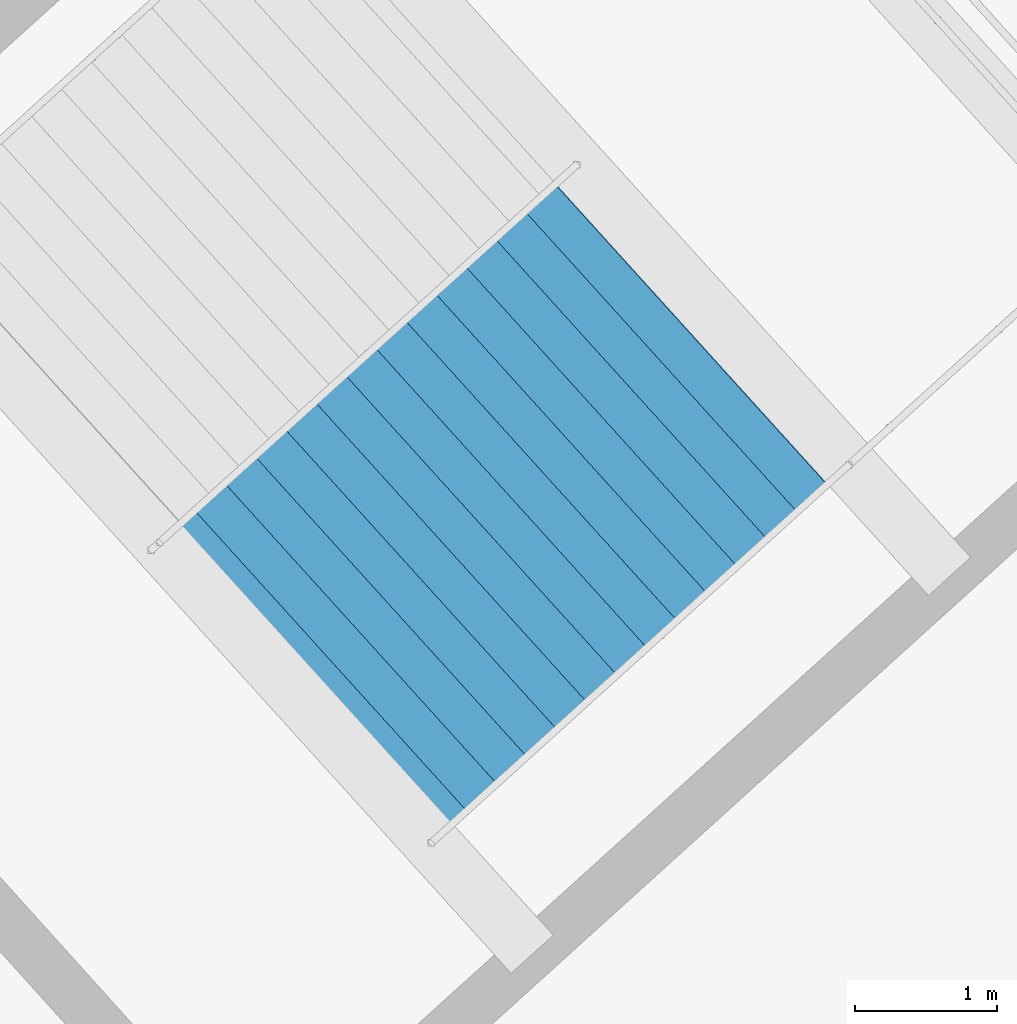
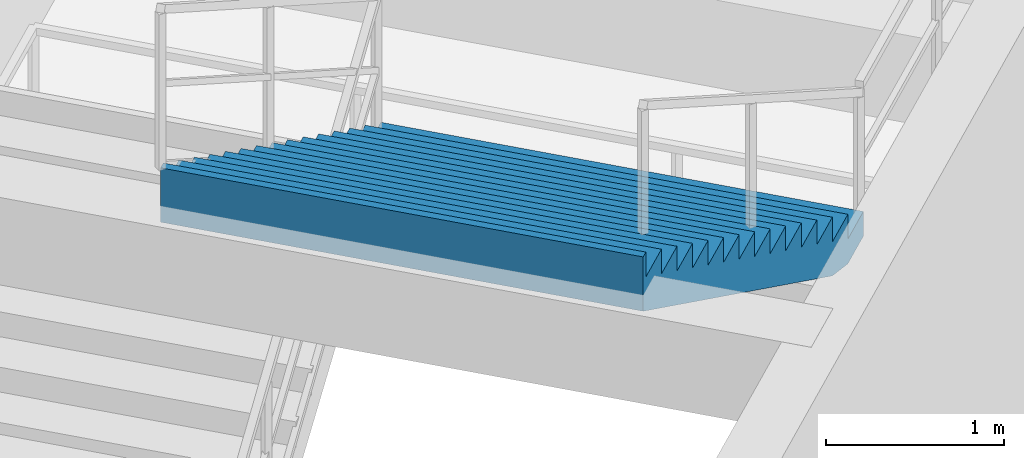
# One storey, part 161 of 184: 1 stair flight, 1 element without a shape of its own.
"""IFC4 building model written with IfcOpenShell, lengths in metres."""

from ifc_helpers import new_model, si_unit, direction, frame, origin, place, context, subcontext, project, spatial, polygons, material, type_object, element, aggregate, save


model = new_model("IFC4")

# Units and contexts
model_context = context("Model", 3, precision=1e-05, world=origin(), true_north=direction((0.0, 1.0)))
body_context = subcontext(model_context, "Body", "Model", "MODEL_VIEW")
ifc_project = project(units=[si_unit("LENGTHUNIT", "METRE"), si_unit("AREAUNIT", "SQUARE_METRE"), si_unit("VOLUMEUNIT", "CUBIC_METRE"), si_unit("PLANEANGLEUNIT", "RADIAN"), si_unit("MASSUNIT", "GRAM", prefix="KILO")], contexts=[model_context])

# Site, building, storey
site_placement = place(None, origin())
site = spatial("IfcSite", under=ifc_project, at=site_placement, CompositionType="ELEMENT")
building_placement = place(site_placement, origin())
building = spatial("IfcBuilding", under=site, at=building_placement, Name="Kazemori Nagisa Stadium", CompositionType="ELEMENT")
storey_placement = place(building_placement, frame((0.0, 0.0, 10.5400390625)))
storey = spatial("IfcBuildingStorey", under=building, at=storey_placement, Name="L02", CompositionType="ELEMENT", Elevation=10.5400390625)

# Stair, stair flight
ifc_material = material(Name="Concrete C36/45 (Fc36)", Category="concrete")
stair_type = type_object("IfcStairType", Name="Stair_CORE_30", PredefinedType="TWO_STRAIGHT_RUN_STAIR", material=ifc_material)
stair_placement = place(storey_placement, origin())
stair = element("IfcStair", 1, at=stair_placement, inside=storey, type_object=stair_type, Name="Exit stair ST04 L02", PredefinedType="TWO_STRAIGHT_RUN_STAIR")
stair_flight_type = type_object("IfcStairFlightType", Name="Flight_CORE_15", PredefinedType="STRAIGHT", material=ifc_material)
stair_flight_placement = place(storey_placement, frame((187.742919921875, 40.0625, 2.550048828125), z_axis=(0.0, 0.0, 1.0), x_axis=(-0.741356002691, -0.671111970742, 0.0)))
stair_flight = element("IfcStairFlight", 2, at=stair_flight_placement, type_object=stair_flight_type, Name="Exit stair ST04 L02 flight 2", NumberOfRisers=15, NumberOfTreads=14, PredefinedType="STRAIGHT", RiserHeight=0.17, TreadLength=0.285, context=body_context, shape_type="Tessellation", body=[
    polygons([(0.0, -1.425048828125, 0.0), (0.0, -1.425048828125, 0.169921875), (0.284912109375, -1.425048828125, 0.169921875), (0.284912109375, -1.425048828125, 0.340087890625), (0.570068359375, -1.425048828125, 0.340087890625), (0.570068359375, -1.425048828125, 0.510009765625), (0.85498046875, -1.425048828125, 0.510009765625), (0.85498046875, -1.425048828125, 0.679931640625), (1.139892578125, -1.425048828125, 0.679931640625), (1.139892578125, -1.425048828125, 0.85009765625), (1.425048828125, -1.425048828125, 0.85009765625), (1.425048828125, -1.425048828125, 1.02001953125), (1.7099609375, -1.425048828125, 1.02001953125), (1.7099609375, -1.425048828125, 1.18994140625), (1.9951171875, -1.425048828125, 1.18994140625), (1.9951171875, -1.425048828125, 1.360107421875), (2.280029296875, -1.425048828125, 1.360107421875), (2.280029296875, -1.425048828125, 1.530029296875), (2.56494140625, -1.425048828125, 1.530029296875), (2.56494140625, -1.425048828125, 1.699951171875), (2.85009765625, -1.425048828125, 1.699951171875), (2.85009765625, -1.425048828125, 1.8701171875), (3.135009765625, -1.425048828125, 1.8701171875), (3.135009765625, -1.425048828125, 2.0400390625), (3.419921875, -1.425048828125, 2.0400390625), (3.419921875, -1.425048828125, 2.2099609375), (3.705078125, -1.425048828125, 2.2099609375), (3.705078125, -1.425048828125, 2.3798828125), (3.989990234375, -1.425048828125, 2.3798828125), (3.989990234375, -1.425048828125, 2.550048828125), (4.0400390625, -1.425048828125, 2.550048828125), (4.0400390625, -1.425048828125, 2.177001953125), (3.989990234375, -1.425048828125, 2.147216796875), (3.705078125, -1.425048828125, 1.977294921875), (3.419921875, -1.425048828125, 1.80712890625), (3.135009765625, -1.425048828125, 1.63720703125), (2.85009765625, -1.425048828125, 1.46728515625), (2.56494140625, -1.425048828125, 1.297119140625), (2.280029296875, -1.425048828125, 1.127197265625), (1.9951171875, -1.425048828125, 0.957275390625), (1.7099609375, -1.425048828125, 0.787109375), (1.425048828125, -1.425048828125, 0.6171875), (1.139892578125, -1.425048828125, 0.447265625), (0.85498046875, -1.425048828125, 0.277099609375), (0.570068359375, -1.425048828125, 0.107177734375), (0.284912109375, -1.425048828125, 0.0), (0.0, -0.08544921875, 0.0), (0.0, -0.08544921875, 0.169921875), (0.284912109375, -0.08544921875, 0.169921875), (0.284912109375, -0.08544921875, 0.340087890625), (0.570068359375, -0.08544921875, 0.340087890625), (0.570068359375, -0.08544921875, 0.510009765625), (0.85498046875, -0.08544921875, 0.510009765625), (0.85498046875, -0.08544921875, 0.679931640625), (1.139892578125, -0.08544921875, 0.679931640625), (1.139892578125, -0.08544921875, 0.85009765625), (1.425048828125, -0.08544921875, 0.85009765625), (1.425048828125, -0.08544921875, 1.02001953125), (1.7099609375, -0.08544921875, 1.02001953125), (1.7099609375, -0.08544921875, 1.18994140625), (1.9951171875, -0.08544921875, 1.18994140625), (1.9951171875, -0.08544921875, 1.360107421875), (2.280029296875, -0.08544921875, 1.360107421875), (2.280029296875, -0.08544921875, 1.530029296875), (2.56494140625, -0.08544921875, 1.530029296875), (2.56494140625, -0.08544921875, 1.699951171875), (2.85009765625, -0.08544921875, 1.699951171875), (2.85009765625, -0.08544921875, 1.8701171875), (3.135009765625, -0.08544921875, 1.8701171875), (3.135009765625, -0.08544921875, 2.0400390625), (3.419921875, -0.08544921875, 2.0400390625), (3.419921875, -0.08544921875, 2.2099609375), (3.705078125, -0.08544921875, 2.2099609375), (3.705078125, -0.08544921875, 2.3798828125), (3.989990234375, -0.08544921875, 2.3798828125), (3.989990234375, -0.08544921875, 2.550048828125), (4.0400390625, -0.08544921875, 2.550048828125), (4.0400390625, -0.08544921875, 2.177001953125), (3.989990234375, -0.08544921875, 2.147216796875), (3.705078125, -0.08544921875, 1.977294921875), (3.419921875, -0.08544921875, 1.80712890625), (3.135009765625, -0.08544921875, 1.63720703125), (2.85009765625, -0.08544921875, 1.46728515625), (2.56494140625, -0.08544921875, 1.297119140625), (2.280029296875, -0.08544921875, 1.127197265625), (1.9951171875, -0.08544921875, 0.957275390625), (1.7099609375, -0.08544921875, 0.787109375), (1.425048828125, -0.08544921875, 0.6171875), (1.139892578125, -0.08544921875, 0.447265625), (0.85498046875, -0.08544921875, 0.277099609375), (0.570068359375, -0.08544921875, 0.107177734375), (0.284912109375, -0.08544921875, 0.0), (0.0, 0.0, 0.0), (0.0, 0.0, 0.169921875), (0.284912109375, 0.0, 0.169921875), (0.284912109375, 0.0, 0.340087890625), (0.570068359375, 0.0, 0.340087890625), (0.570068359375, 0.0, 0.510009765625), (0.85498046875, 0.0, 0.510009765625), (0.85498046875, 0.0, 0.679931640625), (1.139892578125, 0.0, 0.679931640625), (1.139892578125, 0.0, 0.85009765625), (1.425048828125, 0.0, 0.85009765625), (1.425048828125, 0.0, 1.02001953125), (1.7099609375, 0.0, 1.02001953125), (1.7099609375, 0.0, 1.18994140625), (1.9951171875, 0.0, 1.18994140625), (1.9951171875, 0.0, 1.360107421875), (2.280029296875, 0.0, 1.360107421875), (2.280029296875, 0.0, 1.530029296875), (2.56494140625, 0.0, 1.530029296875), (2.56494140625, 0.0, 1.699951171875), (2.85009765625, 0.0, 1.699951171875), (2.85009765625, 0.0, 1.8701171875), (3.135009765625, 0.0, 1.8701171875), (3.135009765625, 0.0, 2.0400390625), (3.419921875, 0.0, 2.0400390625), (3.419921875, 0.0, 2.2099609375), (3.705078125, 0.0, 2.2099609375), (3.705078125, 0.0, 2.3798828125), (3.989990234375, 0.0, 2.3798828125), (3.989990234375, 0.0, 2.550048828125), (4.0400390625, 0.0, 2.550048828125), (4.0400390625, 0.0, 2.177001953125), (3.989990234375, 0.0, 2.147216796875), (3.705078125, 0.0, 1.977294921875), (3.419921875, 0.0, 1.80712890625), (3.135009765625, 0.0, 1.63720703125), (2.85009765625, 0.0, 1.46728515625), (2.56494140625, 0.0, 1.297119140625), (2.280029296875, 0.0, 1.127197265625), (1.9951171875, 0.0, 0.957275390625), (1.7099609375, 0.0, 0.787109375), (1.425048828125, 0.0, 0.6171875), (1.139892578125, 0.0, 0.447265625), (0.85498046875, 0.0, 0.277099609375), (0.570068359375, 0.0, 0.107177734375), (0.284912109375, 0.0, 0.0), (0.0, 0.08544921875, 0.0), (0.0, 0.08544921875, 0.169921875), (0.284912109375, 0.08544921875, 0.169921875), (0.284912109375, 0.08544921875, 0.340087890625), (0.570068359375, 0.08544921875, 0.340087890625), (0.570068359375, 0.08544921875, 0.510009765625), (0.85498046875, 0.08544921875, 0.510009765625), (0.85498046875, 0.08544921875, 0.679931640625), (1.139892578125, 0.08544921875, 0.679931640625), (1.139892578125, 0.08544921875, 0.85009765625), (1.425048828125, 0.08544921875, 0.85009765625), (1.425048828125, 0.08544921875, 1.02001953125), (1.7099609375, 0.08544921875, 1.02001953125), (1.7099609375, 0.08544921875, 1.18994140625), (1.9951171875, 0.08544921875, 1.18994140625), (1.9951171875, 0.08544921875, 1.360107421875), (2.280029296875, 0.08544921875, 1.360107421875), (2.280029296875, 0.08544921875, 1.530029296875), (2.56494140625, 0.08544921875, 1.530029296875), (2.56494140625, 0.08544921875, 1.699951171875), (2.85009765625, 0.08544921875, 1.699951171875), (2.85009765625, 0.08544921875, 1.8701171875), (3.135009765625, 0.08544921875, 1.8701171875), (3.135009765625, 0.08544921875, 2.0400390625), (3.419921875, 0.08544921875, 2.0400390625), (3.419921875, 0.08544921875, 2.2099609375), (3.705078125, 0.08544921875, 2.2099609375), (3.705078125, 0.08544921875, 2.3798828125), (3.989990234375, 0.08544921875, 2.3798828125), (3.989990234375, 0.08544921875, 2.550048828125), (4.0400390625, 0.08544921875, 2.550048828125), (4.0400390625, 0.08544921875, 2.177001953125), (3.989990234375, 0.08544921875, 2.147216796875), (3.705078125, 0.08544921875, 1.977294921875), (3.419921875, 0.08544921875, 1.80712890625), (3.135009765625, 0.08544921875, 1.63720703125), (2.85009765625, 0.08544921875, 1.46728515625), (2.56494140625, 0.08544921875, 1.297119140625), (2.280029296875, 0.08544921875, 1.127197265625), (1.9951171875, 0.08544921875, 0.957275390625), (1.7099609375, 0.08544921875, 0.787109375), (1.425048828125, 0.08544921875, 0.6171875), (1.139892578125, 0.08544921875, 0.447265625), (0.85498046875, 0.08544921875, 0.277099609375), (0.570068359375, 0.08544921875, 0.107177734375), (0.284912109375, 0.08544921875, 0.0), (0.0, 1.425048828125, 0.0), (0.0, 1.425048828125, 0.169921875), (0.284912109375, 1.425048828125, 0.169921875), (0.284912109375, 1.425048828125, 0.340087890625), (0.570068359375, 1.425048828125, 0.340087890625), (0.570068359375, 1.425048828125, 0.510009765625), (0.85498046875, 1.425048828125, 0.510009765625), (0.85498046875, 1.425048828125, 0.679931640625), (1.139892578125, 1.425048828125, 0.679931640625), (1.139892578125, 1.425048828125, 0.85009765625), (1.425048828125, 1.425048828125, 0.85009765625), (1.425048828125, 1.425048828125, 1.02001953125), (1.7099609375, 1.425048828125, 1.02001953125), (1.7099609375, 1.425048828125, 1.18994140625), (1.9951171875, 1.425048828125, 1.18994140625), (1.9951171875, 1.425048828125, 1.360107421875), (2.280029296875, 1.425048828125, 1.360107421875), (2.280029296875, 1.425048828125, 1.530029296875), (2.56494140625, 1.425048828125, 1.530029296875), (2.56494140625, 1.425048828125, 1.699951171875), (2.85009765625, 1.425048828125, 1.699951171875), (2.85009765625, 1.425048828125, 1.8701171875), (3.135009765625, 1.425048828125, 1.8701171875), (3.135009765625, 1.425048828125, 2.0400390625), (3.419921875, 1.425048828125, 2.0400390625), (3.419921875, 1.425048828125, 2.2099609375), (3.705078125, 1.425048828125, 2.2099609375), (3.705078125, 1.425048828125, 2.3798828125), (3.989990234375, 1.425048828125, 2.3798828125), (3.989990234375, 1.425048828125, 2.550048828125), (4.0400390625, 1.425048828125, 2.550048828125), (4.0400390625, 1.425048828125, 2.177001953125), (3.989990234375, 1.425048828125, 2.147216796875), (3.705078125, 1.425048828125, 1.977294921875), (3.419921875, 1.425048828125, 1.80712890625), (3.135009765625, 1.425048828125, 1.63720703125), (2.85009765625, 1.425048828125, 1.46728515625), (2.56494140625, 1.425048828125, 1.297119140625), (2.280029296875, 1.425048828125, 1.127197265625), (1.9951171875, 1.425048828125, 0.957275390625), (1.7099609375, 1.425048828125, 0.787109375), (1.425048828125, 1.425048828125, 0.6171875), (1.139892578125, 1.425048828125, 0.447265625), (0.85498046875, 1.425048828125, 0.277099609375), (0.570068359375, 1.425048828125, 0.107177734375), (0.284912109375, 1.425048828125, 0.0)], [[[1, 2, 48]], [[1, 48, 47]], [[2, 3, 49]], [[2, 49, 48]], [[3, 4, 50]], [[3, 50, 49]], [[4, 5, 51]], [[4, 51, 50]], [[5, 6, 52]], [[5, 52, 51]], [[6, 7, 53]], [[6, 53, 52]], [[7, 8, 54]], [[7, 54, 53]], [[8, 9, 55]], [[8, 55, 54]], [[9, 10, 56]], [[9, 56, 55]], [[10, 11, 57]], [[10, 57, 56]], [[11, 12, 58]], [[11, 58, 57]], [[12, 13, 59]], [[12, 59, 58]], [[13, 14, 60]], [[13, 60, 59]], [[14, 15, 61]], [[14, 61, 60]], [[15, 16, 62]], [[15, 62, 61]], [[16, 17, 63]], [[16, 63, 62]], [[17, 18, 64]], [[17, 64, 63]], [[18, 19, 65]], [[18, 65, 64]], [[19, 20, 66]], [[19, 66, 65]], [[20, 21, 67]], [[20, 67, 66]], [[21, 22, 68]], [[21, 68, 67]], [[22, 23, 69]], [[22, 69, 68]], [[23, 24, 70]], [[23, 70, 69]], [[24, 25, 71]], [[24, 71, 70]], [[25, 26, 72]], [[25, 72, 71]], [[26, 27, 73]], [[26, 73, 72]], [[27, 28, 74]], [[27, 74, 73]], [[28, 29, 75]], [[28, 75, 74]], [[29, 30, 76]], [[29, 76, 75]], [[30, 31, 77]], [[30, 77, 76]], [[31, 32, 78]], [[31, 78, 77]], [[32, 33, 79]], [[32, 79, 78]], [[33, 34, 80]], [[33, 80, 79]], [[34, 35, 81]], [[34, 81, 80]], [[35, 36, 82]], [[35, 82, 81]], [[36, 37, 83]], [[36, 83, 82]], [[37, 38, 84]], [[37, 84, 83]], [[38, 39, 85]], [[38, 85, 84]], [[39, 40, 86]], [[39, 86, 85]], [[40, 41, 87]], [[40, 87, 86]], [[41, 42, 88]], [[41, 88, 87]], [[42, 43, 89]], [[42, 89, 88]], [[43, 44, 90]], [[43, 90, 89]], [[44, 45, 91]], [[44, 91, 90]], [[45, 46, 92]], [[45, 92, 91]], [[46, 1, 47]], [[46, 47, 92]], [[47, 48, 94]], [[47, 94, 93]], [[48, 49, 95]], [[48, 95, 94]], [[49, 50, 96]], [[49, 96, 95]], [[50, 51, 97]], [[50, 97, 96]], [[51, 52, 98]], [[51, 98, 97]], [[52, 53, 99]], [[52, 99, 98]], [[53, 54, 100]], [[53, 100, 99]], [[54, 55, 101]], [[54, 101, 100]], [[55, 56, 102]], [[55, 102, 101]], [[56, 57, 103]], [[56, 103, 102]], [[57, 58, 104]], [[57, 104, 103]], [[58, 59, 105]], [[58, 105, 104]], [[59, 60, 106]], [[59, 106, 105]], [[60, 61, 107]], [[60, 107, 106]], [[61, 62, 108]], [[61, 108, 107]], [[62, 63, 109]], [[62, 109, 108]], [[63, 64, 110]], [[63, 110, 109]], [[64, 65, 111]], [[64, 111, 110]], [[65, 66, 112]], [[65, 112, 111]], [[66, 67, 113]], [[66, 113, 112]], [[67, 68, 114]], [[67, 114, 113]], [[68, 69, 115]], [[68, 115, 114]], [[69, 70, 116]], [[69, 116, 115]], [[70, 71, 117]], [[70, 117, 116]], [[71, 72, 118]], [[71, 118, 117]], [[72, 73, 119]], [[72, 119, 118]], [[73, 74, 120]], [[73, 120, 119]], [[74, 75, 121]], [[74, 121, 120]], [[75, 76, 122]], [[75, 122, 121]], [[76, 77, 123]], [[76, 123, 122]], [[77, 78, 124]], [[77, 124, 123]], [[78, 79, 125]], [[78, 125, 124]], [[79, 80, 126]], [[79, 126, 125]], [[80, 81, 127]], [[80, 127, 126]], [[81, 82, 128]], [[81, 128, 127]], [[82, 83, 129]], [[82, 129, 128]], [[83, 84, 130]], [[83, 130, 129]], [[84, 85, 131]], [[84, 131, 130]], [[85, 86, 132]], [[85, 132, 131]], [[86, 87, 133]], [[86, 133, 132]], [[87, 88, 134]], [[87, 134, 133]], [[88, 89, 135]], [[88, 135, 134]], [[89, 90, 136]], [[89, 136, 135]], [[90, 91, 137]], [[90, 137, 136]], [[91, 92, 138]], [[91, 138, 137]], [[92, 47, 93]], [[92, 93, 138]], [[93, 94, 140]], [[93, 140, 139]], [[94, 95, 141]], [[94, 141, 140]], [[95, 96, 142]], [[95, 142, 141]], [[96, 97, 143]], [[96, 143, 142]], [[97, 98, 144]], [[97, 144, 143]], [[98, 99, 145]], [[98, 145, 144]], [[99, 100, 146]], [[99, 146, 145]], [[100, 101, 147]], [[100, 147, 146]], [[101, 102, 148]], [[101, 148, 147]], [[102, 103, 149]], [[102, 149, 148]], [[103, 104, 150]], [[103, 150, 149]], [[104, 105, 151]], [[104, 151, 150]], [[105, 106, 152]], [[105, 152, 151]], [[106, 107, 153]], [[106, 153, 152]], [[107, 108, 154]], [[107, 154, 153]], [[108, 109, 155]], [[108, 155, 154]], [[109, 110, 156]], [[109, 156, 155]], [[110, 111, 157]], [[110, 157, 156]], [[111, 112, 158]], [[111, 158, 157]], [[112, 113, 159]], [[112, 159, 158]], [[113, 114, 160]], [[113, 160, 159]], [[114, 115, 161]], [[114, 161, 160]], [[115, 116, 162]], [[115, 162, 161]], [[116, 117, 163]], [[116, 163, 162]], [[117, 118, 164]], [[117, 164, 163]], [[118, 119, 165]], [[118, 165, 164]], [[119, 120, 166]], [[119, 166, 165]], [[120, 121, 167]], [[120, 167, 166]], [[121, 122, 168]], [[121, 168, 167]], [[122, 123, 169]], [[122, 169, 168]], [[123, 124, 170]], [[123, 170, 169]], [[124, 125, 171]], [[124, 171, 170]], [[125, 126, 172]], [[125, 172, 171]], [[126, 127, 173]], [[126, 173, 172]], [[127, 128, 174]], [[127, 174, 173]], [[128, 129, 175]], [[128, 175, 174]], [[129, 130, 176]], [[129, 176, 175]], [[130, 131, 177]], [[130, 177, 176]], [[131, 132, 178]], [[131, 178, 177]], [[132, 133, 179]], [[132, 179, 178]], [[133, 134, 180]], [[133, 180, 179]], [[134, 135, 181]], [[134, 181, 180]], [[135, 136, 182]], [[135, 182, 181]], [[136, 137, 183]], [[136, 183, 182]], [[137, 138, 184]], [[137, 184, 183]], [[138, 93, 139]], [[138, 139, 184]], [[139, 140, 186]], [[139, 186, 185]], [[140, 141, 187]], [[140, 187, 186]], [[141, 142, 188]], [[141, 188, 187]], [[142, 143, 189]], [[142, 189, 188]], [[143, 144, 190]], [[143, 190, 189]], [[144, 145, 191]], [[144, 191, 190]], [[145, 146, 192]], [[145, 192, 191]], [[146, 147, 193]], [[146, 193, 192]], [[147, 148, 194]], [[147, 194, 193]], [[148, 149, 195]], [[148, 195, 194]], [[149, 150, 196]], [[149, 196, 195]], [[150, 151, 197]], [[150, 197, 196]], [[151, 152, 198]], [[151, 198, 197]], [[152, 153, 199]], [[152, 199, 198]], [[153, 154, 200]], [[153, 200, 199]], [[154, 155, 201]], [[154, 201, 200]], [[155, 156, 202]], [[155, 202, 201]], [[156, 157, 203]], [[156, 203, 202]], [[157, 158, 204]], [[157, 204, 203]], [[158, 159, 205]], [[158, 205, 204]], [[159, 160, 206]], [[159, 206, 205]], [[160, 161, 207]], [[160, 207, 206]], [[161, 162, 208]], [[161, 208, 207]], [[162, 163, 209]], [[162, 209, 208]], [[163, 164, 210]], [[163, 210, 209]], [[164, 165, 211]], [[164, 211, 210]], [[165, 166, 212]], [[165, 212, 211]], [[166, 167, 213]], [[166, 213, 212]], [[167, 168, 214]], [[167, 214, 213]], [[168, 169, 215]], [[168, 215, 214]], [[169, 170, 216]], [[169, 216, 215]], [[170, 171, 217]], [[170, 217, 216]], [[171, 172, 218]], [[171, 218, 217]], [[172, 173, 219]], [[172, 219, 218]], [[173, 174, 220]], [[173, 220, 219]], [[174, 175, 221]], [[174, 221, 220]], [[175, 176, 222]], [[175, 222, 221]], [[176, 177, 223]], [[176, 223, 222]], [[177, 178, 224]], [[177, 224, 223]], [[178, 179, 225]], [[178, 225, 224]], [[179, 180, 226]], [[179, 226, 225]], [[180, 181, 227]], [[180, 227, 226]], [[181, 182, 228]], [[181, 228, 227]], [[182, 183, 229]], [[182, 229, 228]], [[183, 184, 230]], [[183, 230, 229]], [[184, 139, 185]], [[184, 185, 230]], [[3, 2, 1]], [[185, 186, 187]], [[46, 3, 1]], [[185, 187, 230]], [[45, 3, 46]], [[230, 187, 229]], [[5, 3, 45]], [[229, 187, 189]], [[5, 4, 3]], [[187, 188, 189]], [[44, 5, 45]], [[229, 189, 228]], [[7, 5, 44]], [[228, 189, 191]], [[7, 6, 5]], [[189, 190, 191]], [[43, 7, 44]], [[228, 191, 227]], [[9, 7, 43]], [[227, 191, 193]], [[9, 8, 7]], [[191, 192, 193]], [[42, 9, 43]], [[227, 193, 226]], [[11, 9, 42]], [[226, 193, 195]], [[11, 10, 9]], [[193, 194, 195]], [[41, 11, 42]], [[226, 195, 225]], [[13, 11, 41]], [[225, 195, 197]], [[13, 12, 11]], [[195, 196, 197]], [[40, 13, 41]], [[225, 197, 224]], [[15, 13, 40]], [[224, 197, 199]], [[15, 14, 13]], [[197, 198, 199]], [[39, 15, 40]], [[224, 199, 223]], [[17, 15, 39]], [[223, 199, 201]], [[17, 16, 15]], [[199, 200, 201]], [[38, 17, 39]], [[223, 201, 222]], [[19, 17, 38]], [[222, 201, 203]], [[19, 18, 17]], [[201, 202, 203]], [[37, 19, 38]], [[222, 203, 221]], [[21, 19, 37]], [[221, 203, 205]], [[21, 20, 19]], [[203, 204, 205]], [[36, 21, 37]], [[221, 205, 220]], [[23, 21, 36]], [[220, 205, 207]], [[23, 22, 21]], [[205, 206, 207]], [[35, 23, 36]], [[220, 207, 219]], [[25, 23, 35]], [[219, 207, 209]], [[25, 24, 23]], [[207, 208, 209]], [[34, 25, 35]], [[219, 209, 218]], [[27, 25, 34]], [[218, 209, 211]], [[27, 26, 25]], [[209, 210, 211]], [[33, 27, 34]], [[218, 211, 217]], [[29, 27, 33]], [[217, 211, 213]], [[29, 28, 27]], [[211, 212, 213]], [[32, 29, 33]], [[217, 213, 216]], [[31, 29, 32]], [[216, 213, 215]], [[31, 30, 29]], [[213, 214, 215]]], closed=True),
])
aggregate(stair, [stair_flight])

save(model, "model.ifc")
